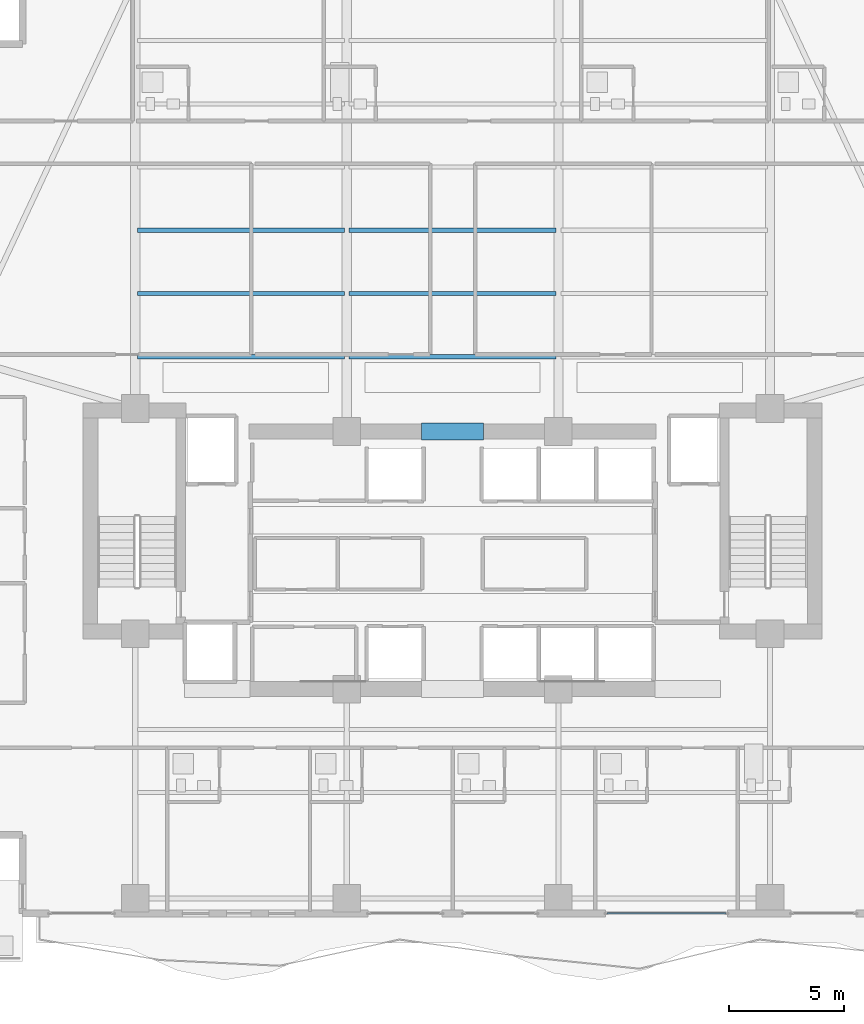
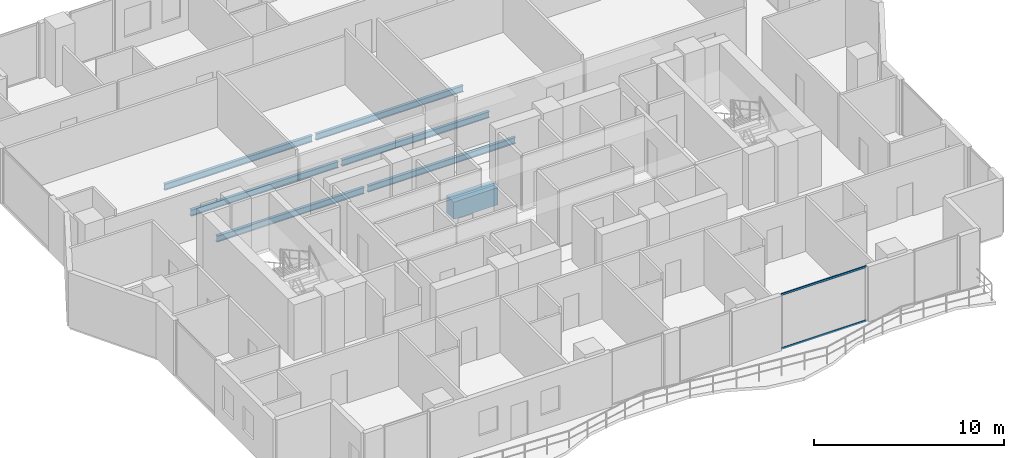
# One storey, part 8 of 32: 7 beams, 2 members, 1 element without a shape of its own.
"""IFC4 building model written with IfcOpenShell, lengths in metres."""

import ifcopenshell
import ifcopenshell.guid

model = None  # the IFC model being written
_history = None  # IfcOwnerHistory: only IFC2X3 demands one
_inside = {}  # id of a spatial element -> (the spatial element, [elements in it])
_under = {}  # id of a project, library or spatial element -> (it, [spatial elements below it])
_declared = {}  # id of a project -> (the project, [libraries it declares])
_typed = {}  # id of a type object -> (the type object, [elements of that type])
_made_of = {}  # id of a material, layer set ... -> (it, [elements and type objects made of it])


def new_model(schema):
    """Start an empty IFC model of exactly this schema.

    Asked for "IFC4X3", IfcOpenShell would pick the latest addendum, in which some entities
    have other attributes; the version numbers below select the first issue.
    IFC2X3 requires an IfcOwnerHistory on every rooted entity: one is made here for all.
    """
    global model, _history
    if schema == "IFC4X3":
        model = ifcopenshell.file(schema_version=(4, 3, 0, 0))
    else:
        model = ifcopenshell.file(schema=schema)
    _inside.clear()
    _under.clear()
    _declared.clear()
    _typed.clear()
    _made_of.clear()
    _history = None
    if model.schema == "IFC2X3":
        org = make("IfcOrganization", Name="unknown")
        user = make(
            "IfcPersonAndOrganization",
            ThePerson=make("IfcPerson", FamilyName="unknown"),
            TheOrganization=org,
        )
        app = make(
            "IfcApplication",
            ApplicationDeveloper=org,
            Version="unknown",
            ApplicationFullName="unknown",
            ApplicationIdentifier="unknown",
        )
        _history = make(
            "IfcOwnerHistory",
            OwningUser=user,
            OwningApplication=app,
            ChangeAction="ADDED",
            CreationDate=0,
        )
    return model


def make(cls, **values):
    """One entity of the class cls with the attributes given. An attribute that is None is left unset."""
    return model.create_entity(
        cls, **{name: value for name, value in values.items() if value is not None}
    )


def rooted(cls, **values):
    """An entity with a GlobalId (a new one), such as an element, a storey or a relation."""
    return make(cls, GlobalId=ifcopenshell.guid.new(), OwnerHistory=_history, **values)


def si_unit(unit_type, name, prefix=None):
    """IfcSIUnit, for example si_unit("LENGTHUNIT", "METRE", prefix="MILLI")."""
    return make("IfcSIUnit", UnitType=unit_type, Prefix=prefix, Name=name)


def assignment(units):
    """IfcUnitAssignment: the units of a project."""
    return None if units is None else make("IfcUnitAssignment", Units=units)


def point(xyz):
    """IfcCartesianPoint."""
    return None if xyz is None else make("IfcCartesianPoint", Coordinates=xyz)


def direction(xyz):
    """IfcDirection."""
    return None if xyz is None else make("IfcDirection", DirectionRatios=xyz)


def frame(location, z_axis=None, x_axis=None):
    """IfcAxis2Placement3D, a coordinate frame: its origin and axes. An axis left out is left unset."""
    return make(
        "IfcAxis2Placement3D",
        Location=point(location),
        Axis=direction(z_axis),
        RefDirection=direction(x_axis),
    )


def frame_2d(location, x_axis=None):
    """IfcAxis2Placement2D, a coordinate frame in the plane: its origin and x axis."""
    return make(
        "IfcAxis2Placement2D", Location=point(location), RefDirection=direction(x_axis)
    )


def origin():
    """The frame at (0, 0, 0) with its axes left unset."""
    return frame((0.0, 0.0, 0.0))


def origin_2d():
    """The frame at (0, 0) in the plane with its x axis left unset."""
    return frame_2d((0.0, 0.0))


def place(relative_to, where):
    """IfcLocalPlacement: puts the frame where relative to a parent placement (None: the world)."""
    return make(
        "IfcLocalPlacement", PlacementRelTo=relative_to, RelativePlacement=where
    )


def context(
    kind, dimensions, precision=None, world=None, true_north=None, identifier=None
):
    """IfcGeometricRepresentationContext, for example the 3D "Model" context."""
    return make(
        "IfcGeometricRepresentationContext",
        ContextIdentifier=identifier,
        ContextType=kind,
        CoordinateSpaceDimension=dimensions,
        Precision=precision,
        WorldCoordinateSystem=world,
        TrueNorth=true_north,
    )


def subcontext(parent, identifier, kind, view, scale=None):
    """IfcGeometricRepresentationSubContext, for example "Body" below "Model"."""
    return make(
        "IfcGeometricRepresentationSubContext",
        ContextIdentifier=identifier,
        ContextType=kind,
        ParentContext=parent,
        TargetScale=scale,
        TargetView=view,
    )


def project(units=None, contexts=None):
    """IfcProject with its units and contexts."""
    return rooted(
        "IfcProject",
        Name="project",
        RepresentationContexts=contexts,
        UnitsInContext=assignment(units),
    )


def spatial(cls, under=None, at=None, **own):
    """A site, building, storey or space (cls), placed at a placement, below another one or the project."""
    s = rooted(cls, ObjectPlacement=at, **own)
    if under is not None:
        _under.setdefault(under.id(), (under, []))[1].append(s)
    return s


def profile(cls, at=None, kind="AREA", **sizes):
    """A parametric profile (cls). Its sizes go by their IFC names, for example OverallWidth=200.0."""
    return make(cls, ProfileType=kind, Position=at, **sizes)


def rectangle(**sizes):
    """IfcRectangleProfileDef."""
    return profile("IfcRectangleProfileDef", **sizes)


def hollow_rectangle(**sizes):
    """IfcRectangleHollowProfileDef."""
    return profile("IfcRectangleHollowProfileDef", **sizes)


def i_section(**sizes):
    """IfcIShapeProfileDef."""
    return profile("IfcIShapeProfileDef", **sizes)


def extrude(swept, where, along, depth):
    """IfcExtrudedAreaSolid: the profile swept, set in the frame where, extruded along a direction by depth."""
    return make(
        "IfcExtrudedAreaSolid",
        SweptArea=swept,
        Position=where,
        ExtrudedDirection=direction(along),
        Depth=depth,
    )


def shape(context_of_items, identifier, shape_type, items):
    """IfcShapeRepresentation: the items that make up one representation, for example the "Body"."""
    return make(
        "IfcShapeRepresentation",
        ContextOfItems=context_of_items,
        RepresentationIdentifier=identifier,
        RepresentationType=shape_type,
        Items=items,
    )


def material(Name=None, Category=None):
    """IfcMaterial."""
    return make("IfcMaterial", Name=Name, Category=Category)


def layer(
    of_material, thickness, ventilated=None, Name=None, Category=None, Priority=None
):
    """IfcMaterialLayer: one layer of a wall or slab, of a material (None: an air gap)."""
    return make(
        "IfcMaterialLayer",
        Material=of_material,
        LayerThickness=thickness,
        IsVentilated=ventilated,
        Name=Name,
        Category=Category,
        Priority=Priority,
    )


def layer_set(layers, Name=None):
    """IfcMaterialLayerSet."""
    return make("IfcMaterialLayerSet", MaterialLayers=layers, LayerSetName=Name)


def material_profile(
    of_material, cross_section, Name=None, Category=None, Priority=None
):
    """IfcMaterialProfile: a cross section and its material."""
    return make(
        "IfcMaterialProfile",
        Name=Name,
        Material=of_material,
        Profile=cross_section,
        Priority=Priority,
        Category=Category,
    )


def profile_set(profiles, Name=None, composite=None):
    """IfcMaterialProfileSet."""
    return make(
        "IfcMaterialProfileSet",
        Name=Name,
        MaterialProfiles=profiles,
        CompositeProfile=composite,
    )


def made_of(thing, what):
    """Note that an element or type object is made of a material, layer set ...; save() writes the relation."""
    if what is not None:
        _made_of.setdefault(what.id(), (what, []))[1].append(thing)
    return thing


def type_object(cls, material=None, **own):
    """A type object (cls), such as IfcWallType, which elements share."""
    return made_of(rooted(cls, **own), material)


def element(
    cls,
    number,
    at=None,
    inside=None,
    cuts=None,
    type_object=None,
    material=None,
    context=None,
    identifier="Body",
    shape_type=None,
    held_by="IfcProductDefinitionShape",
    body=None,
    shapes=None,
    **own,
):
    """One element of the class cls, such as IfcWall. Its Tag is "e" and its number.

    at: its placement. inside: the storey or other place that contains it. cuts: it is an
    opening in that element (IfcRelVoidsElement). A single representation is given by context,
    identifier, shape_type and body (its items); several are given by shapes. held_by: the class
    of the entity that holds the representations. save() writes the other relations.
    """
    e = rooted(cls, Tag="e%d" % number, ObjectPlacement=at, **own)
    if body is not None:
        shapes = [shape(context, identifier, shape_type, body)]
    if shapes is not None:
        e.Representation = make(held_by, Representations=shapes)
    if inside is not None:
        _inside.setdefault(inside.id(), (inside, []))[1].append(e)
    if cuts is not None:
        rooted(
            "IfcRelVoidsElement", RelatingBuildingElement=cuts, RelatedOpeningElement=e
        )
    if type_object is not None:
        _typed.setdefault(type_object.id(), (type_object, []))[1].append(e)
    return made_of(e, material)


def aggregate(whole, parts):
    """IfcRelAggregates: a whole, such as a stair, and the parts it consists of."""
    return rooted("IfcRelAggregates", RelatingObject=whole, RelatedObjects=parts)


def save(model, path):
    """Write the relations noted so far, then the file.

    IfcRelAggregates (storeys below a building ...), IfcRelContainedInSpatialStructure (elements
    in a storey), IfcRelDefinesByType, IfcRelAssociatesMaterial and IfcRelDeclares: one each for
    every whole, place, type object, material and project.
    """
    for whole, parts in _under.values():
        aggregate(whole, parts)
    for where, things in _inside.values():
        rooted(
            "IfcRelContainedInSpatialStructure",
            RelatedElements=things,
            RelatingStructure=where,
        )
    for kind, things in _typed.values():
        rooted("IfcRelDefinesByType", RelatedObjects=things, RelatingType=kind)
    for what, things in _made_of.values():
        rooted("IfcRelAssociatesMaterial", RelatedObjects=things, RelatingMaterial=what)
    for by, libraries in _declared.values():
        rooted("IfcRelDeclares", RelatingContext=by, RelatedDefinitions=libraries)
    model.write(path)


model = new_model("IFC4")

# Units and contexts
model_context = context("Model", 3, precision=1e-05, world=origin(), true_north=direction((0.0, 1.0)))
body_context = subcontext(model_context, "Body", "Model", "MODEL_VIEW")
ifc_project = project(units=[si_unit("LENGTHUNIT", "METRE"), si_unit("AREAUNIT", "SQUARE_METRE"), si_unit("VOLUMEUNIT", "CUBIC_METRE"), si_unit("PLANEANGLEUNIT", "RADIAN"), si_unit("MASSUNIT", "GRAM", prefix="KILO")], contexts=[model_context])

# Site, building, storey
site_placement = place(None, origin())
site = spatial("IfcSite", under=ifc_project, at=site_placement, CompositionType="ELEMENT")
building_placement = place(site_placement, origin())
building = spatial("IfcBuilding", under=site, at=building_placement, Name="Zuhayl Quay Hotel", CompositionType="ELEMENT")
storey_placement = place(building_placement, frame((0.0, 0.0, 188.64990234375)))
storey = spatial("IfcBuildingStorey", under=building, at=storey_placement, Name="L47", CompositionType="ELEMENT", Elevation=188.64990234375)

# Beams
ifc_material_1 = material(Name="Concrete C60/75", Category="concrete")
ifc_material_profile_1 = material_profile(ifc_material_1, rectangle(XDim=0.75, YDim=1.10009765625, at=origin_2d()), Name="RC750X1100")
ifc_profile_set_1 = profile_set([ifc_material_profile_1], Name="Concrete C60/75")
beam_type_1 = type_object("IfcBeamType", Name="BM_CB2_RC750", PredefinedType="T_BEAM", material=ifc_profile_set_1)
beam_1_placement = place(storey_placement, frame((-1.35009765625, 13.35009765625, -0.77001953125), z_axis=(1.0, 0.0, 0.0), x_axis=(0.0, 1.0, 0.0)))
element("IfcBeam", 1, at=beam_1_placement, inside=storey, type_object=beam_type_1, Name="L47 Core Coupling Beam North", PredefinedType="T_BEAM", context=body_context, shape_type="SweptSolid", body=[
    extrude(rectangle(XDim=0.75, YDim=1.10009765625, at=origin_2d()), origin(), (0.0, 0.0, 1.0), 2.7001953125),
])
ifc_material_2 = material(Name="Steel ASTM A992 Grade 50", Category="steel")
ifc_material_profile_2 = material_profile(ifc_material_2, i_section(OverallWidth=0.177978515625, OverallDepth=0.406005859375, WebThickness=0.0078125, FlangeThickness=0.0126953125, at=origin_2d()), Name="W16X40")
ifc_profile_set_2 = profile_set([ifc_material_profile_2], Name="Steel ASTM A992 Grade 50")
beam_type_2 = type_object("IfcBeamType", Name="BM_J2B_W16X40", PredefinedType="JOIST", material=ifc_profile_set_2)
beam_2_placement = place(storey_placement, frame((-13.694091796875, 16.60009765625, -0.4228515625), z_axis=(1.0, 0.0, 0.0), x_axis=(0.0, 1.0, 0.0)))
element("IfcBeam", 2, at=beam_2_placement, inside=storey, type_object=beam_type_2, Name="L47 Floor Beam FJ_L47_1_1", PredefinedType="JOIST", context=body_context, shape_type="SweptSolid", body=[
    extrude(i_section(OverallWidth=0.177978515625, OverallDepth=0.406005859375, WebThickness=0.0078125, FlangeThickness=0.0126953125, at=origin_2d()), origin(), (0.0, 0.0, 1.0), 8.988037109375),
])
beam_3_placement = place(storey_placement, frame((-4.493896484375, 16.60009765625, -0.4228515625), z_axis=(1.0, 0.0, 0.0), x_axis=(0.0, 1.0, 0.0)))
element("IfcBeam", 3, at=beam_3_placement, inside=storey, type_object=beam_type_2, Name="L47 Floor Beam FJ_L47_1_2", PredefinedType="JOIST", context=body_context, shape_type="SweptSolid", body=[
    extrude(i_section(OverallWidth=0.177978515625, OverallDepth=0.406005859375, WebThickness=0.0078125, FlangeThickness=0.0126953125, at=origin_2d()), origin(), (0.0, 0.0, 1.0), 8.98779296875),
])
beam_4_placement = place(storey_placement, frame((-13.694091796875, 19.35009765625, -0.4228515625), z_axis=(1.0, 0.0, 0.0), x_axis=(0.0, 1.0, 0.0)))
element("IfcBeam", 4, at=beam_4_placement, inside=storey, type_object=beam_type_2, Name="L47 Floor Beam FJ_L47_2_1", PredefinedType="JOIST", context=body_context, shape_type="SweptSolid", body=[
    extrude(i_section(OverallWidth=0.177978515625, OverallDepth=0.406005859375, WebThickness=0.0078125, FlangeThickness=0.0126953125, at=origin_2d()), origin(), (0.0, 0.0, 1.0), 8.988037109375),
])
beam_5_placement = place(storey_placement, frame((-4.493896484375, 19.35009765625, -0.4228515625), z_axis=(1.0, 0.0, 0.0), x_axis=(0.0, 1.0, 0.0)))
element("IfcBeam", 5, at=beam_5_placement, inside=storey, type_object=beam_type_2, Name="L47 Floor Beam FJ_L47_2_2", PredefinedType="JOIST", context=body_context, shape_type="SweptSolid", body=[
    extrude(i_section(OverallWidth=0.177978515625, OverallDepth=0.406005859375, WebThickness=0.0078125, FlangeThickness=0.0126953125, at=origin_2d()), origin(), (0.0, 0.0, 1.0), 8.98779296875),
])
beam_6_placement = place(storey_placement, frame((-13.694091796875, 22.10009765625, -0.4228515625), z_axis=(1.0, 0.0, 0.0), x_axis=(0.0, 1.0, 0.0)))
element("IfcBeam", 6, at=beam_6_placement, inside=storey, type_object=beam_type_2, Name="L47 Floor Beam FJ_L47_3_1", PredefinedType="JOIST", context=body_context, shape_type="SweptSolid", body=[
    extrude(i_section(OverallWidth=0.177978515625, OverallDepth=0.406005859375, WebThickness=0.0078125, FlangeThickness=0.0126953125, at=origin_2d()), origin(), (0.0, 0.0, 1.0), 8.988037109375),
])
beam_7_placement = place(storey_placement, frame((-4.493896484375, 22.10009765625, -0.4228515625), z_axis=(1.0, 0.0, 0.0), x_axis=(0.0, 1.0, 0.0)))
element("IfcBeam", 7, at=beam_7_placement, inside=storey, type_object=beam_type_2, Name="L47 Floor Beam FJ_L47_3_2", PredefinedType="JOIST", context=body_context, shape_type="SweptSolid", body=[
    extrude(i_section(OverallWidth=0.177978515625, OverallDepth=0.406005859375, WebThickness=0.0078125, FlangeThickness=0.0126953125, at=origin_2d()), origin(), (0.0, 0.0, 1.0), 8.98779296875),
])

# Curtain wall, members
ifc_material_3 = material(Name="Anodised Aluminium 6063-T6", Category="aluminium")
ifc_layer = layer(ifc_material_3, 0.175048828125, Name="Anodised Aluminium 6063-T6", Category="aluminium")
ifc_layer_set = layer_set([ifc_layer], Name="Anodised Aluminium 6063-T6")
curtain_wall_type = type_object("IfcCurtainWallType", Name="CW_SYS_Z3", PredefinedType="USERDEFINED", material=ifc_layer_set)
curtain_wall_placement = place(storey_placement, origin())
curtain_wall = element("IfcCurtainWall", 8, at=curtain_wall_placement, inside=storey, type_object=curtain_wall_type, Name="L47 Curtain Wall ENV_L47_S_CW2", ObjectType="UNITISED CURTAIN WALL", PredefinedType="USERDEFINED")
ifc_material_4 = material(Name="Black-anodised aluminium 6063-T6", Category="aluminium")
ifc_material_profile_3 = material_profile(ifc_material_4, hollow_rectangle(XDim=0.054931640625, YDim=0.1298828125, WallThickness=0.0029296875, at=origin_2d()), Name="ALU130X55")
ifc_profile_set_3 = profile_set([ifc_material_profile_3], Name="Black-anodised aluminium 6063-T6")
member_type = type_object("IfcMemberType", Name="MB_CW_TRN_130", PredefinedType="USERDEFINED", material=ifc_profile_set_3)
member_1_placement = place(storey_placement, frame((11.885009765625, -7.60009765625, 0.027587890625), z_axis=(-1.0, 0.0, 0.0), x_axis=(0.0, -1.0, 0.0)))
member_1 = element("IfcMember", 9, at=member_1_placement, type_object=member_type, Name="CW-Z3 transom 1.1", ObjectType="TRANSOM", PredefinedType="USERDEFINED", context=body_context, shape_type="SweptSolid", body=[
    extrude(hollow_rectangle(XDim=0.054931640625, YDim=0.1298828125, WallThickness=0.0029296875, at=origin_2d()), origin(), (0.0, 0.0, 1.0), 5.169921875),
])
member_2_placement = place(storey_placement, frame((11.885009765625, -7.60009765625, 3.502685546875), z_axis=(-1.0, 0.0, 0.0), x_axis=(0.0, -1.0, 0.0)))
member_2 = element("IfcMember", 10, at=member_2_placement, type_object=member_type, Name="CW-Z3 transom 1.2", ObjectType="TRANSOM", PredefinedType="USERDEFINED", context=body_context, shape_type="SweptSolid", body=[
    extrude(hollow_rectangle(XDim=0.054931640625, YDim=0.1298828125, WallThickness=0.0029296875, at=origin_2d()), origin(), (0.0, 0.0, 1.0), 5.169921875),
])
aggregate(curtain_wall, [member_1, member_2])

save(model, "model.ifc")
